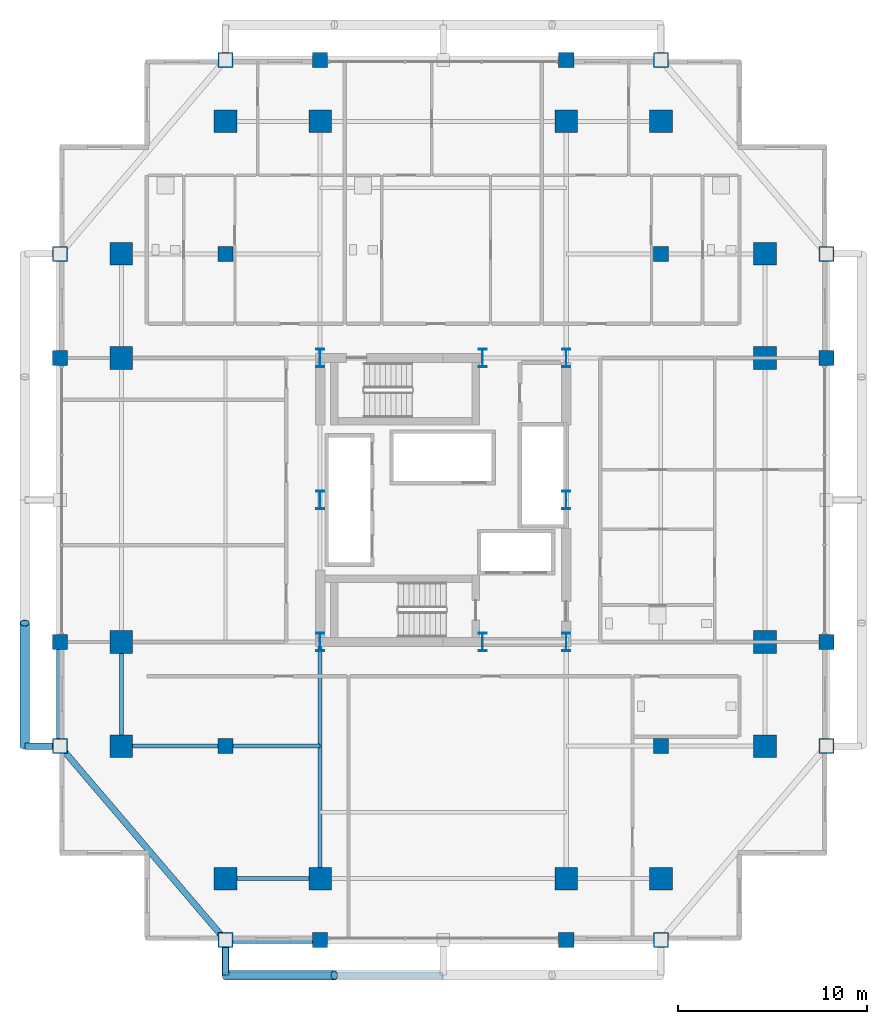
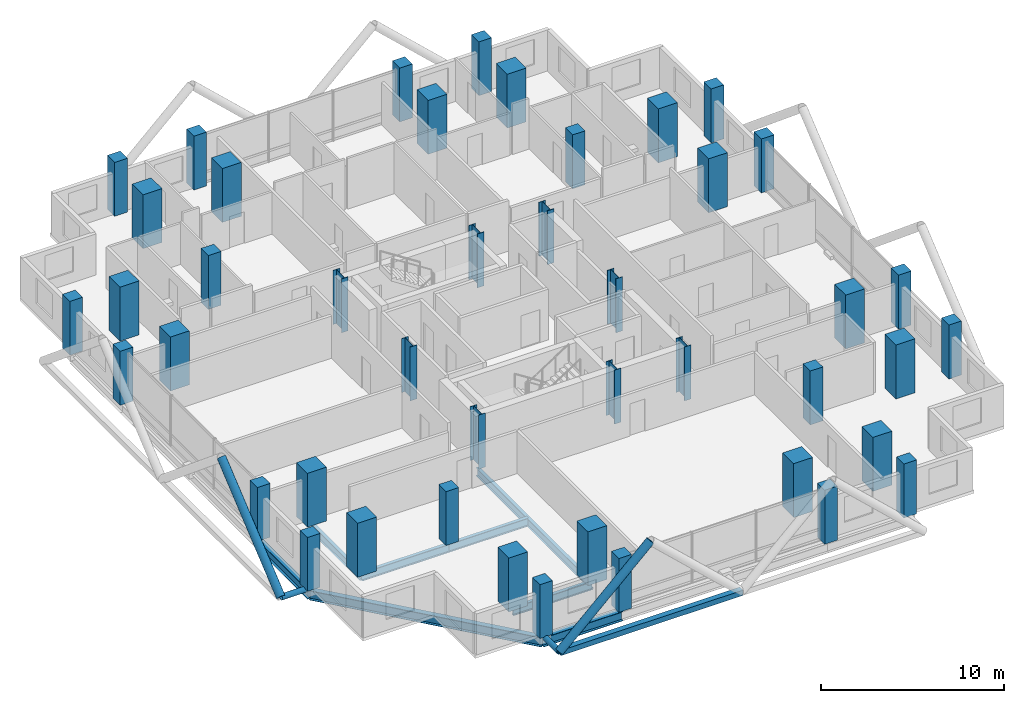
# One storey, part 1 of 24: 44 columns, 8 beams, 5 members.
"""IFC4 building model written with IfcOpenShell, lengths in metres."""

import ifcopenshell
import ifcopenshell.guid

model = None  # the IFC model being written
_history = None  # IfcOwnerHistory: only IFC2X3 demands one
_inside = {}  # id of a spatial element -> (the spatial element, [elements in it])
_under = {}  # id of a project, library or spatial element -> (it, [spatial elements below it])
_declared = {}  # id of a project -> (the project, [libraries it declares])
_typed = {}  # id of a type object -> (the type object, [elements of that type])
_made_of = {}  # id of a material, layer set ... -> (it, [elements and type objects made of it])


def new_model(schema):
    """Start an empty IFC model of exactly this schema.

    Asked for "IFC4X3", IfcOpenShell would pick the latest addendum, in which some entities
    have other attributes; the version numbers below select the first issue.
    IFC2X3 requires an IfcOwnerHistory on every rooted entity: one is made here for all.
    """
    global model, _history
    if schema == "IFC4X3":
        model = ifcopenshell.file(schema_version=(4, 3, 0, 0))
    else:
        model = ifcopenshell.file(schema=schema)
    _inside.clear()
    _under.clear()
    _declared.clear()
    _typed.clear()
    _made_of.clear()
    _history = None
    if model.schema == "IFC2X3":
        org = make("IfcOrganization", Name="unknown")
        user = make(
            "IfcPersonAndOrganization",
            ThePerson=make("IfcPerson", FamilyName="unknown"),
            TheOrganization=org,
        )
        app = make(
            "IfcApplication",
            ApplicationDeveloper=org,
            Version="unknown",
            ApplicationFullName="unknown",
            ApplicationIdentifier="unknown",
        )
        _history = make(
            "IfcOwnerHistory",
            OwningUser=user,
            OwningApplication=app,
            ChangeAction="ADDED",
            CreationDate=0,
        )
    return model


def make(cls, **values):
    """One entity of the class cls with the attributes given. An attribute that is None is left unset."""
    return model.create_entity(
        cls, **{name: value for name, value in values.items() if value is not None}
    )


def rooted(cls, **values):
    """An entity with a GlobalId (a new one), such as an element, a storey or a relation."""
    return make(cls, GlobalId=ifcopenshell.guid.new(), OwnerHistory=_history, **values)


def si_unit(unit_type, name, prefix=None):
    """IfcSIUnit, for example si_unit("LENGTHUNIT", "METRE", prefix="MILLI")."""
    return make("IfcSIUnit", UnitType=unit_type, Prefix=prefix, Name=name)


def assignment(units):
    """IfcUnitAssignment: the units of a project."""
    return None if units is None else make("IfcUnitAssignment", Units=units)


def point(xyz):
    """IfcCartesianPoint."""
    return None if xyz is None else make("IfcCartesianPoint", Coordinates=xyz)


def direction(xyz):
    """IfcDirection."""
    return None if xyz is None else make("IfcDirection", DirectionRatios=xyz)


def frame(location, z_axis=None, x_axis=None):
    """IfcAxis2Placement3D, a coordinate frame: its origin and axes. An axis left out is left unset."""
    return make(
        "IfcAxis2Placement3D",
        Location=point(location),
        Axis=direction(z_axis),
        RefDirection=direction(x_axis),
    )


def frame_2d(location, x_axis=None):
    """IfcAxis2Placement2D, a coordinate frame in the plane: its origin and x axis."""
    return make(
        "IfcAxis2Placement2D", Location=point(location), RefDirection=direction(x_axis)
    )


def origin():
    """The frame at (0, 0, 0) with its axes left unset."""
    return frame((0.0, 0.0, 0.0))


def origin_2d():
    """The frame at (0, 0) in the plane with its x axis left unset."""
    return frame_2d((0.0, 0.0))


def place(relative_to, where):
    """IfcLocalPlacement: puts the frame where relative to a parent placement (None: the world)."""
    return make(
        "IfcLocalPlacement", PlacementRelTo=relative_to, RelativePlacement=where
    )


def context(
    kind, dimensions, precision=None, world=None, true_north=None, identifier=None
):
    """IfcGeometricRepresentationContext, for example the 3D "Model" context."""
    return make(
        "IfcGeometricRepresentationContext",
        ContextIdentifier=identifier,
        ContextType=kind,
        CoordinateSpaceDimension=dimensions,
        Precision=precision,
        WorldCoordinateSystem=world,
        TrueNorth=true_north,
    )


def subcontext(parent, identifier, kind, view, scale=None):
    """IfcGeometricRepresentationSubContext, for example "Body" below "Model"."""
    return make(
        "IfcGeometricRepresentationSubContext",
        ContextIdentifier=identifier,
        ContextType=kind,
        ParentContext=parent,
        TargetScale=scale,
        TargetView=view,
    )


def project(units=None, contexts=None):
    """IfcProject with its units and contexts."""
    return rooted(
        "IfcProject",
        Name="project",
        RepresentationContexts=contexts,
        UnitsInContext=assignment(units),
    )


def spatial(cls, under=None, at=None, **own):
    """A site, building, storey or space (cls), placed at a placement, below another one or the project."""
    s = rooted(cls, ObjectPlacement=at, **own)
    if under is not None:
        _under.setdefault(under.id(), (under, []))[1].append(s)
    return s


def profile(cls, at=None, kind="AREA", **sizes):
    """A parametric profile (cls). Its sizes go by their IFC names, for example OverallWidth=200.0."""
    return make(cls, ProfileType=kind, Position=at, **sizes)


def rectangle(**sizes):
    """IfcRectangleProfileDef."""
    return profile("IfcRectangleProfileDef", **sizes)


def hollow_rectangle(**sizes):
    """IfcRectangleHollowProfileDef."""
    return profile("IfcRectangleHollowProfileDef", **sizes)


def hollow_circle(**sizes):
    """IfcCircleHollowProfileDef."""
    return profile("IfcCircleHollowProfileDef", **sizes)


def i_section(**sizes):
    """IfcIShapeProfileDef."""
    return profile("IfcIShapeProfileDef", **sizes)


def extrude(swept, where, along, depth):
    """IfcExtrudedAreaSolid: the profile swept, set in the frame where, extruded along a direction by depth."""
    return make(
        "IfcExtrudedAreaSolid",
        SweptArea=swept,
        Position=where,
        ExtrudedDirection=direction(along),
        Depth=depth,
    )


def shape(context_of_items, identifier, shape_type, items):
    """IfcShapeRepresentation: the items that make up one representation, for example the "Body"."""
    return make(
        "IfcShapeRepresentation",
        ContextOfItems=context_of_items,
        RepresentationIdentifier=identifier,
        RepresentationType=shape_type,
        Items=items,
    )


def material(Name=None, Category=None):
    """IfcMaterial."""
    return make("IfcMaterial", Name=Name, Category=Category)


def material_profile(
    of_material, cross_section, Name=None, Category=None, Priority=None
):
    """IfcMaterialProfile: a cross section and its material."""
    return make(
        "IfcMaterialProfile",
        Name=Name,
        Material=of_material,
        Profile=cross_section,
        Priority=Priority,
        Category=Category,
    )


def profile_set(profiles, Name=None, composite=None):
    """IfcMaterialProfileSet."""
    return make(
        "IfcMaterialProfileSet",
        Name=Name,
        MaterialProfiles=profiles,
        CompositeProfile=composite,
    )


def made_of(thing, what):
    """Note that an element or type object is made of a material, layer set ...; save() writes the relation."""
    if what is not None:
        _made_of.setdefault(what.id(), (what, []))[1].append(thing)
    return thing


def type_object(cls, material=None, **own):
    """A type object (cls), such as IfcWallType, which elements share."""
    return made_of(rooted(cls, **own), material)


def element(
    cls,
    number,
    at=None,
    inside=None,
    cuts=None,
    type_object=None,
    material=None,
    context=None,
    identifier="Body",
    shape_type=None,
    held_by="IfcProductDefinitionShape",
    body=None,
    shapes=None,
    **own,
):
    """One element of the class cls, such as IfcWall. Its Tag is "e" and its number.

    at: its placement. inside: the storey or other place that contains it. cuts: it is an
    opening in that element (IfcRelVoidsElement). A single representation is given by context,
    identifier, shape_type and body (its items); several are given by shapes. held_by: the class
    of the entity that holds the representations. save() writes the other relations.
    """
    e = rooted(cls, Tag="e%d" % number, ObjectPlacement=at, **own)
    if body is not None:
        shapes = [shape(context, identifier, shape_type, body)]
    if shapes is not None:
        e.Representation = make(held_by, Representations=shapes)
    if inside is not None:
        _inside.setdefault(inside.id(), (inside, []))[1].append(e)
    if cuts is not None:
        rooted(
            "IfcRelVoidsElement", RelatingBuildingElement=cuts, RelatedOpeningElement=e
        )
    if type_object is not None:
        _typed.setdefault(type_object.id(), (type_object, []))[1].append(e)
    return made_of(e, material)


def aggregate(whole, parts):
    """IfcRelAggregates: a whole, such as a stair, and the parts it consists of."""
    return rooted("IfcRelAggregates", RelatingObject=whole, RelatedObjects=parts)


def save(model, path):
    """Write the relations noted so far, then the file.

    IfcRelAggregates (storeys below a building ...), IfcRelContainedInSpatialStructure (elements
    in a storey), IfcRelDefinesByType, IfcRelAssociatesMaterial and IfcRelDeclares: one each for
    every whole, place, type object, material and project.
    """
    for whole, parts in _under.values():
        aggregate(whole, parts)
    for where, things in _inside.values():
        rooted(
            "IfcRelContainedInSpatialStructure",
            RelatedElements=things,
            RelatingStructure=where,
        )
    for kind, things in _typed.values():
        rooted("IfcRelDefinesByType", RelatedObjects=things, RelatingType=kind)
    for what, things in _made_of.values():
        rooted("IfcRelAssociatesMaterial", RelatedObjects=things, RelatingMaterial=what)
    for by, libraries in _declared.values():
        rooted("IfcRelDeclares", RelatingContext=by, RelatedDefinitions=libraries)
    model.write(path)


model = new_model("IFC4")

# Units and contexts
model_context = context("Model", 3, precision=1e-05, world=origin(), true_north=direction((0.0, 1.0)))
body_context = subcontext(model_context, "Body", "Model", "MODEL_VIEW")
ifc_project = project(units=[si_unit("LENGTHUNIT", "METRE"), si_unit("AREAUNIT", "SQUARE_METRE"), si_unit("VOLUMEUNIT", "CUBIC_METRE"), si_unit("PLANEANGLEUNIT", "RADIAN"), si_unit("MASSUNIT", "GRAM", prefix="KILO")], contexts=[model_context])

# Site, building, storey
site_placement = place(None, origin())
site = spatial("IfcSite", under=ifc_project, at=site_placement, CompositionType="ELEMENT")
building_placement = place(site_placement, origin())
building = spatial("IfcBuilding", under=site, at=building_placement, Name="Barlavira Tower and Art Museum", CompositionType="ELEMENT")
storey_placement = place(building_placement, frame((0.0, 0.0, 109.800048828125)))
storey = spatial("IfcBuildingStorey", under=building, at=storey_placement, Name="L27", CompositionType="ELEMENT", Elevation=109.800048828125)

# Columns
ifc_material_1 = material(Name="Steel S355", Category="steel")
ifc_material_profile_1 = material_profile(ifc_material_1, i_section(OverallWidth=0.419921875, OverallDepth=0.9599609375, WebThickness=0.02197265625, FlangeThickness=0.033935546875, at=origin_2d()), Name="W920x387.0")
ifc_profile_set_1 = profile_set([ifc_material_profile_1], Name="Steel S355")
column_type_1 = type_object("IfcColumnType", Name="Core Composite Column W920x387 Steel S355", PredefinedType="COLUMN", material=ifc_profile_set_1)
for number, where, z_axis, x_axis, name in (
    (1, (-6.5, -7.5, 0.0), (0.0, 0.0, 1.0), (1.0, 0.0, 0.0), "L27 Column CC-L27-C1"),
    (2, (2.080078125, -7.5, 0.0), (0.0, 0.0, 1.0), (1.0, 0.0, 0.0), "L27 Column CC-L27-C2"),
    (3, (6.5, -7.5, 0.0), (0.0, 0.0, 1.0), (1.0, 0.0, 0.0), "L27 Column CC-L27-C3"),
    (4, (-6.5, 0.0, 0.0), (0.0, 0.0, 1.0), (1.0, 0.0, 0.0), "L27 Column CC-L27-C4"),
    (5, (6.5, 0.0, 0.0), (0.0, 0.0, 1.0), (1.0, 0.0, 0.0), "L27 Column CC-L27-C5"),
    (6, (-6.5, 7.5, 0.0), (0.0, 0.0, 1.0), (1.0, 0.0, 0.0), "L27 Column CC-L27-C6"),
    (7, (2.080078125, 7.5, 0.0), (0.0, 0.0, 1.0), (1.0, 0.0, 0.0), "L27 Column CC-L27-C7"),
    (8, (6.5, 7.5, 0.0), (0.0, 0.0, 1.0), (1.0, 0.0, 0.0), "L27 Column CC-L27-C8"),
):
    element("IfcColumn", number, at=place(storey_placement, frame(where, z_axis=z_axis, x_axis=x_axis)), inside=storey, type_object=column_type_1, Name=name, PredefinedType="COLUMN", context=body_context, shape_type="SweptSolid", body=[
        extrude(i_section(OverallWidth=0.419921875, OverallDepth=0.9599609375, WebThickness=0.02197265625, FlangeThickness=0.033935546875, at=origin_2d()), origin(), (0.0, 0.0, 1.0), 3.599853515625),
    ])
ifc_material_2 = material(Name="Concrete C60", Category="concrete")
ifc_material_profile_2 = material_profile(ifc_material_2, rectangle(XDim=1.199951171875, YDim=1.199951171875, at=origin_2d()), Name="RC-COL 1200x1200")
ifc_profile_set_2 = profile_set([ifc_material_profile_2], Name="Concrete C60")
column_type_2 = type_object("IfcColumnType", Name="Perimeter Mega Column 1200x1200 Concrete C60", PredefinedType="USERDEFINED", material=ifc_profile_set_2)
for number, where, z_axis, x_axis, name in (
    (9, (-11.5, -20.0, 0.0), (0.0, 0.0, 1.0), (1.0, 0.0, 0.0), "L27 Column MC-L27-M01"),
    (10, (-6.5, -20.0, 0.0), (0.0, 0.0, 1.0), (1.0, 0.0, 0.0), "L27 Column MC-L27-M02"),
    (11, (6.5, -20.0, 0.0), (0.0, 0.0, 1.0), (1.0, 0.0, 0.0), "L27 Column MC-L27-M03"),
    (12, (11.5, -20.0, 0.0), (0.0, 0.0, 1.0), (1.0, 0.0, 0.0), "L27 Column MC-L27-M04"),
    (13, (17.0, -13.0, 0.0), (0.0, 0.0, 1.0), (1.0, 0.0, 0.0), "L27 Column MC-L27-M05"),
    (14, (17.0, -7.5, 0.0), (0.0, 0.0, 1.0), (1.0, 0.0, 0.0), "L27 Column MC-L27-M06"),
    (15, (17.0, 7.5, 0.0), (0.0, 0.0, 1.0), (1.0, 0.0, 0.0), "L27 Column MC-L27-M07"),
    (16, (17.0, 13.0, 0.0), (0.0, 0.0, 1.0), (1.0, 0.0, 0.0), "L27 Column MC-L27-M08"),
    (17, (11.5, 20.0, 0.0), (0.0, 0.0, 1.0), (1.0, 0.0, 0.0), "L27 Column MC-L27-M09"),
    (18, (6.5, 20.0, 0.0), (0.0, 0.0, 1.0), (1.0, 0.0, 0.0), "L27 Column MC-L27-M10"),
    (19, (-6.5, 20.0, 0.0), (0.0, 0.0, 1.0), (1.0, 0.0, 0.0), "L27 Column MC-L27-M11"),
    (20, (-11.5, 20.0, 0.0), (0.0, 0.0, 1.0), (1.0, 0.0, 0.0), "L27 Column MC-L27-M12"),
    (21, (-17.0, 13.0, 0.0), (0.0, 0.0, 1.0), (1.0, 0.0, 0.0), "L27 Column MC-L27-M13"),
    (22, (-17.0, 7.5, 0.0), (0.0, 0.0, 1.0), (1.0, 0.0, 0.0), "L27 Column MC-L27-M14"),
    (23, (-17.0, -7.5, 0.0), (0.0, 0.0, 1.0), (1.0, 0.0, 0.0), "L27 Column MC-L27-M15"),
    (24, (-17.0, -13.0, 0.0), (0.0, 0.0, 1.0), (1.0, 0.0, 0.0), "L27 Column MC-L27-M16"),
):
    element("IfcColumn", number, at=place(storey_placement, frame(where, z_axis=z_axis, x_axis=x_axis)), inside=storey, type_object=column_type_2, Name=name, ObjectType="MEGA COLUMN", PredefinedType="USERDEFINED", context=body_context, shape_type="SweptSolid", body=[
        extrude(rectangle(XDim=1.199951171875, YDim=1.199951171875, at=origin_2d()), origin(), (0.0, 0.0, 1.0), 3.599853515625),
    ])
ifc_material_3 = material(Name="Concrete C50", Category="concrete")
ifc_material_profile_3 = material_profile(ifc_material_3, rectangle(XDim=0.800048828125, YDim=0.800048828125, at=origin_2d()), Name="RC-COL 800x800")
ifc_profile_set_3 = profile_set([ifc_material_profile_3], Name="Concrete C50")
column_type_3 = type_object("IfcColumnType", Name="Podium Frame Column 800x800 Concrete C50", PredefinedType="COLUMN", material=ifc_profile_set_3)
for number, where, z_axis, x_axis, name in (
    (25, (-11.5, -13.0, 0.0), (0.0, 0.0, 1.0), (1.0, 0.0, 0.0), "L27 Column CI-L27-I1"),
    (26, (11.5, -13.0, 0.0), (0.0, 0.0, 1.0), (1.0, 0.0, 0.0), "L27 Column CI-L27-I2"),
    (27, (-11.5, 13.0, 0.0), (0.0, 0.0, 1.0), (1.0, 0.0, 0.0), "L27 Column CI-L27-I3"),
    (28, (11.5, 13.0, 0.0), (0.0, 0.0, 1.0), (1.0, 0.0, 0.0), "L27 Column CI-L27-I4"),
    (29, (-11.5, -23.25, 0.0), (0.0, 0.0, 1.0), (1.0, 0.0, 0.0), "L27 Column CZ2-L27-N01"),
    (30, (-6.5, -23.25, 0.0), (0.0, 0.0, 1.0), (1.0, 0.0, 0.0), "L27 Column CZ2-L27-N02"),
    (31, (6.5, -23.25, 0.0), (0.0, 0.0, 1.0), (1.0, 0.0, 0.0), "L27 Column CZ2-L27-N02B"),
    (32, (11.5, -23.25, 0.0), (0.0, 0.0, 1.0), (1.0, 0.0, 0.0), "L27 Column CZ2-L27-N03"),
    (33, (-20.25, -13.0, 0.0), (0.0, 0.0, 1.0), (1.0, 0.0, 0.0), "L27 Column CZ2-L27-N04"),
    (34, (-20.25, -7.5, 0.0), (0.0, 0.0, 1.0), (1.0, 0.0, 0.0), "L27 Column CZ2-L27-N05"),
    (35, (-20.25, 7.5, 0.0), (0.0, 0.0, 1.0), (1.0, 0.0, 0.0), "L27 Column CZ2-L27-N05B"),
    (36, (-20.25, 13.0, 0.0), (0.0, 0.0, 1.0), (1.0, 0.0, 0.0), "L27 Column CZ2-L27-N06"),
    (37, (-11.5, 23.25, 0.0), (0.0, 0.0, 1.0), (1.0, 0.0, 0.0), "L27 Column CZ2-L27-N07"),
    (38, (-6.5, 23.25, 0.0), (0.0, 0.0, 1.0), (1.0, 0.0, 0.0), "L27 Column CZ2-L27-N08"),
    (39, (6.5, 23.25, 0.0), (0.0, 0.0, 1.0), (1.0, 0.0, 0.0), "L27 Column CZ2-L27-N08B"),
    (40, (11.5, 23.25, 0.0), (0.0, 0.0, 1.0), (1.0, 0.0, 0.0), "L27 Column CZ2-L27-N09"),
    (41, (20.25, -13.0, 0.0), (0.0, 0.0, 1.0), (1.0, 0.0, 0.0), "L27 Column CZ2-L27-N10"),
    (42, (20.25, -7.5, 0.0), (0.0, 0.0, 1.0), (1.0, 0.0, 0.0), "L27 Column CZ2-L27-N11"),
    (43, (20.25, 7.5, 0.0), (0.0, 0.0, 1.0), (1.0, 0.0, 0.0), "L27 Column CZ2-L27-N11B"),
    (44, (20.25, 13.0, 0.0), (0.0, 0.0, 1.0), (1.0, 0.0, 0.0), "L27 Column CZ2-L27-N12"),
):
    element("IfcColumn", number, at=place(storey_placement, frame(where, z_axis=z_axis, x_axis=x_axis)), inside=storey, type_object=column_type_3, Name=name, PredefinedType="COLUMN", context=body_context, shape_type="SweptSolid", body=[
        extrude(rectangle(XDim=0.800048828125, YDim=0.800048828125, at=origin_2d()), origin(), (0.0, 0.0, 1.0), 3.599853515625),
    ])

# Members
ifc_material_profile_4 = material_profile(ifc_material_1, hollow_circle(Radius=0.25390625, WallThickness=0.022216796875, at=origin_2d()), Name="CHS 508.0x22.2")
ifc_profile_set_4 = profile_set([ifc_material_profile_4], Name="Steel S355")
member_type_1 = type_object("IfcMemberType", Name="Pale-Metal Exoskeleton Diagrid Tube CHS 508x22 Steel S355", PredefinedType="BRACE", material=ifc_profile_set_4)
member_1_placement = place(storey_placement, frame((-11.5, -25.10009765625, -0.1201171875), z_axis=(0.728934650808, 0.0, 0.684583285548), x_axis=(0.0, 1.0, 0.0)))
element("IfcMember", 45, at=member_1_placement, inside=storey, type_object=member_type_1, Name="L27 Exoskeleton Diagrid Tube S", PredefinedType="BRACE", context=body_context, shape_type="SweptSolid", body=[
    extrude(hollow_circle(Radius=0.25390625, WallThickness=0.022216796875, at=origin_2d()), origin(), (0.0, 0.0, 1.0), 7.88818359375),
])
member_2_placement = place(storey_placement, frame((-22.10009765625, -13.0, -0.1201171875), z_axis=(0.0, 0.76918185268, 0.639029950399), x_axis=(-1.0, 0.0, 0.0)))
element("IfcMember", 46, at=member_2_placement, inside=storey, type_object=member_type_1, Name="L27 Exoskeleton Diagrid Tube W", PredefinedType="BRACE", context=body_context, shape_type="SweptSolid", body=[
    extrude(hollow_circle(Radius=0.25390625, WallThickness=0.022216796875, at=origin_2d()), origin(), (0.0, 0.0, 1.0), 8.450439453125),
])
ifc_material_profile_5 = material_profile(ifc_material_1, hollow_rectangle(XDim=0.35009765625, YDim=0.35009765625, WallThickness=0.02001953125, at=origin_2d()), Name="SHS 350x350x20.0")
ifc_profile_set_5 = profile_set([ifc_material_profile_5], Name="Steel S355")
member_type_2 = type_object("IfcMemberType", Name="Pale-Metal Exoskeleton Ring Strut SHS 350x350x20 Steel S355", PredefinedType="STRUT", material=ifc_profile_set_5)
member_3_placement = place(storey_placement, frame((-11.5, -25.10009765625, -0.1201171875), z_axis=(1.0, 0.0, 0.0), x_axis=(0.0, 1.0, 0.0)))
element("IfcMember", 47, at=member_3_placement, inside=storey, type_object=member_type_2, Name="L27 Exoskeleton Ring Strut S", PredefinedType="STRUT", context=body_context, shape_type="SweptSolid", body=[
    extrude(hollow_rectangle(XDim=0.35009765625, YDim=0.35009765625, WallThickness=0.02001953125, at=origin_2d()), origin(), (0.0, 0.0, 1.0), 11.5),
])
ifc_material_profile_6 = material_profile(ifc_material_1, hollow_circle(Radius=0.177734375, WallThickness=0.01611328125, at=origin_2d()), Name="CHS 355.6x16.0")
ifc_profile_set_6 = profile_set([ifc_material_profile_6], Name="Steel S355")
member_type_3 = type_object("IfcMemberType", Name="Pale-Metal Exoskeleton Tie Strut CHS 356x16 Steel S355", PredefinedType="STRUT", material=ifc_profile_set_6)
for number, where, z_axis, x_axis, name in (
    (48, (-11.5, -25.10009765625, -0.1201171875), (0.0, 1.0, 0.0), (-1.0, 0.0, 0.0), "L27 Exoskeleton Tie Strut S1"),
    (49, (-22.10009765625, -13.0, -0.1201171875), (1.0, 0.0, 0.0), (0.0, 1.0, 0.0), "L27 Exoskeleton Tie Strut W1"),
):
    element("IfcMember", number, at=place(storey_placement, frame(where, z_axis=z_axis, x_axis=x_axis)), inside=storey, type_object=member_type_3, Name=name, PredefinedType="STRUT", context=body_context, shape_type="SweptSolid", body=[
        extrude(hollow_circle(Radius=0.177734375, WallThickness=0.01611328125, at=origin_2d()), origin(), (0.0, 0.0, 1.0), 1.85009765625),
    ])

# Beams
ifc_material_profile_7 = material_profile(ifc_material_1, i_section(OverallWidth=0.327880859375, OverallDepth=0.62890625, WebThickness=0.013916015625, FlangeThickness=0.021484375, at=origin_2d()), Name="W610x174.0")
ifc_profile_set_7 = profile_set([ifc_material_profile_7], Name="Steel S355")
beam_type_1 = type_object("IfcBeamType", Name="Perimeter Spandrel Edge Beam W610x174 Steel S355", PredefinedType="SPANDREL", material=ifc_profile_set_7)
beam_1_placement = place(storey_placement, frame((-11.5, -23.25, -0.53466796875), z_axis=(1.0, 0.0, 0.0), x_axis=(0.0, 1.0, 0.0)))
element("IfcBeam", 50, at=beam_1_placement, inside=storey, type_object=beam_type_1, Name="L27 Spandrel 1", PredefinedType="SPANDREL", context=body_context, shape_type="SweptSolid", body=[
    extrude(i_section(OverallWidth=0.327880859375, OverallDepth=0.62890625, WebThickness=0.013916015625, FlangeThickness=0.021484375, at=origin_2d()), origin(), (0.0, 0.0, 1.0), 5.0),
])
beam_2_placement = place(storey_placement, frame((-20.25, -13.0, -0.53466796875), z_axis=(0.0, 1.0, 0.0), x_axis=(-1.0, 0.0, 0.0)))
element("IfcBeam", 51, at=beam_2_placement, inside=storey, type_object=beam_type_1, Name="L27 Spandrel 15", PredefinedType="SPANDREL", context=body_context, shape_type="SweptSolid", body=[
    extrude(i_section(OverallWidth=0.327880859375, OverallDepth=0.62890625, WebThickness=0.013916015625, FlangeThickness=0.021484375, at=origin_2d()), origin(), (0.0, 0.0, 1.0), 5.5),
])
beam_3_placement = place(storey_placement, frame((-20.25, -13.0, -0.53466796875), z_axis=(0.649262379928, -0.760564502202, 0.0), x_axis=(0.760564502202, 0.649262379928, 0.0)))
element("IfcBeam", 52, at=beam_3_placement, inside=storey, type_object=beam_type_1, Name="L27 Spandrel 16", PredefinedType="SPANDREL", context=body_context, shape_type="SweptSolid", body=[
    extrude(i_section(OverallWidth=0.327880859375, OverallDepth=0.62890625, WebThickness=0.013916015625, FlangeThickness=0.021484375, at=origin_2d()), origin(), (0.0, 0.0, 1.0), 13.476806640625),
])
ifc_material_profile_8 = material_profile(ifc_material_1, i_section(OverallWidth=0.214111328125, OverallDepth=0.549072265625, WebThickness=0.0146484375, FlangeThickness=0.023681640625, at=origin_2d()), Name="W530x138.0")
ifc_profile_set_8 = profile_set([ifc_material_profile_8], Name="Steel S355")
beam_type_2 = type_object("IfcBeamType", Name="Zone 1 Primary Floor Girder W530x138 Steel S355", PredefinedType="BEAM", material=ifc_profile_set_8)
beam_4_placement = place(storey_placement, frame((-11.5, -20.0, -0.49462890625), z_axis=(1.0, 0.0, 0.0), x_axis=(0.0, 1.0, 0.0)))
element("IfcBeam", 53, at=beam_4_placement, inside=storey, type_object=beam_type_2, Name="L27 Girder M-S1", PredefinedType="BEAM", context=body_context, shape_type="SweptSolid", body=[
    extrude(i_section(OverallWidth=0.214111328125, OverallDepth=0.549072265625, WebThickness=0.0146484375, FlangeThickness=0.023681640625, at=origin_2d()), origin(), (0.0, 0.0, 1.0), 5.0),
])
beam_5_placement = place(storey_placement, frame((-17.0, -13.0, -0.49462890625), z_axis=(0.0, 1.0, 0.0), x_axis=(-1.0, 0.0, 0.0)))
element("IfcBeam", 54, at=beam_5_placement, inside=storey, type_object=beam_type_2, Name="L27 Girder M-W1", PredefinedType="BEAM", context=body_context, shape_type="SweptSolid", body=[
    extrude(i_section(OverallWidth=0.214111328125, OverallDepth=0.549072265625, WebThickness=0.0146484375, FlangeThickness=0.023681640625, at=origin_2d()), origin(), (0.0, 0.0, 1.0), 5.5),
])
beam_6_placement = place(storey_placement, frame((-6.5, -20.0, -0.49462890625), z_axis=(0.0, 1.0, 0.0), x_axis=(-1.0, 0.0, 0.0)))
element("IfcBeam", 55, at=beam_6_placement, inside=storey, type_object=beam_type_2, Name="L27 Girder R-S1", PredefinedType="BEAM", context=body_context, shape_type="SweptSolid", body=[
    extrude(i_section(OverallWidth=0.214111328125, OverallDepth=0.549072265625, WebThickness=0.0146484375, FlangeThickness=0.023681640625, at=origin_2d()), origin(), (0.0, 0.0, 1.0), 12.5),
])
beam_7_placement = place(storey_placement, frame((-17.0, -13.0, -0.49462890625), z_axis=(1.0, 0.0, 0.0), x_axis=(0.0, 1.0, 0.0)))
element("IfcBeam", 56, at=beam_7_placement, inside=storey, type_object=beam_type_2, Name="L27 Girder I-S1", PredefinedType="BEAM", context=body_context, shape_type="SweptSolid", body=[
    extrude(i_section(OverallWidth=0.214111328125, OverallDepth=0.549072265625, WebThickness=0.0146484375, FlangeThickness=0.023681640625, at=origin_2d()), origin(), (0.0, 0.0, 1.0), 5.5),
])
beam_8_placement = place(storey_placement, frame((-11.5, -13.0, -0.49462890625), z_axis=(1.0, 0.0, 0.0), x_axis=(0.0, 1.0, 0.0)))
element("IfcBeam", 57, at=beam_8_placement, inside=storey, type_object=beam_type_2, Name="L27 Girder I-S2", PredefinedType="BEAM", context=body_context, shape_type="SweptSolid", body=[
    extrude(i_section(OverallWidth=0.214111328125, OverallDepth=0.549072265625, WebThickness=0.0146484375, FlangeThickness=0.023681640625, at=origin_2d()), origin(), (0.0, 0.0, 1.0), 5.0),
])

save(model, "model.ifc")
